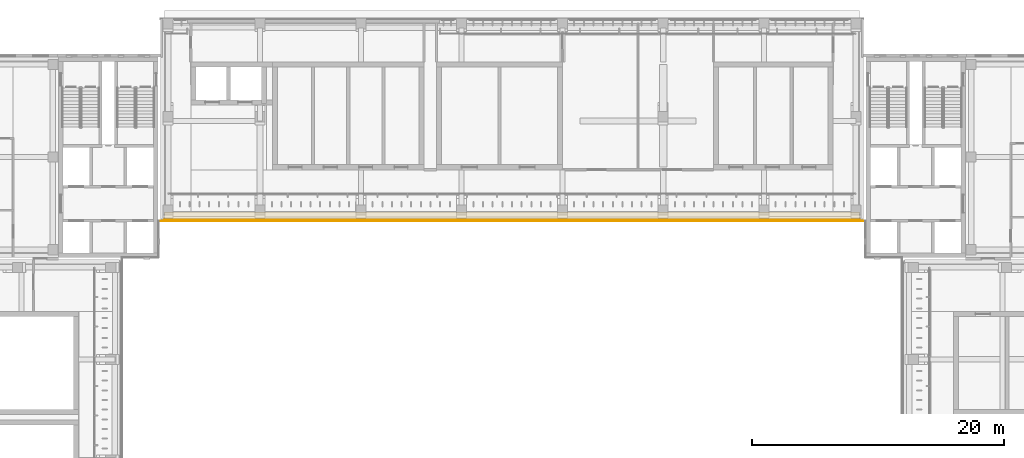
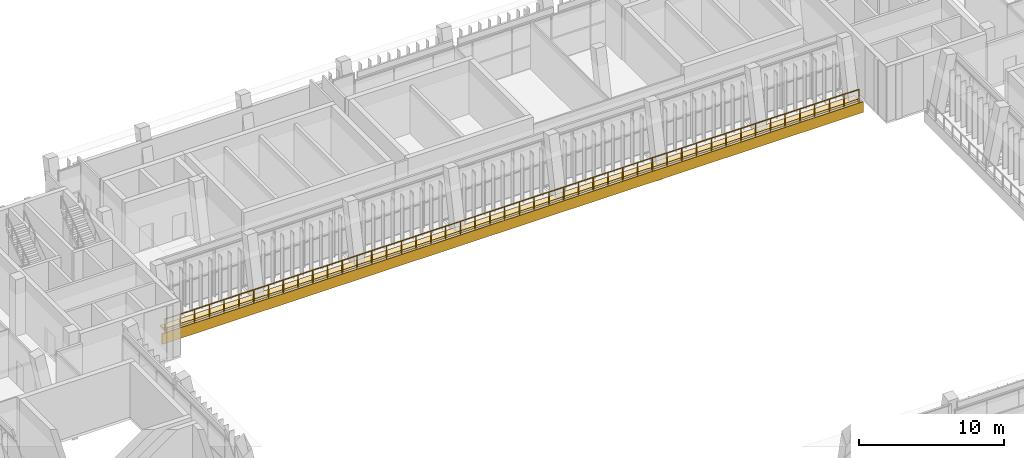
# One storey, part 79 of 89: 2 coverings, 1 railing.
"""IFC4 building model written with IfcOpenShell, lengths in metres."""

from ifc_helpers import new_model, si_unit, direction, frame, frame_2d, origin, origin_2d, place, context, subcontext, project, spatial, polyline, rectangle, circle, outline, extrude, material, layer, layer_set, type_object, element, save


model = new_model("IFC4")

# Units and contexts
model_context = context("Model", 3, precision=1e-05, world=origin(), true_north=direction((0.0, 1.0)))
body_context = subcontext(model_context, "Body", "Model", "MODEL_VIEW")
ifc_project = project(units=[si_unit("LENGTHUNIT", "METRE"), si_unit("AREAUNIT", "SQUARE_METRE"), si_unit("VOLUMEUNIT", "CUBIC_METRE"), si_unit("PLANEANGLEUNIT", "RADIAN"), si_unit("MASSUNIT", "GRAM", prefix="KILO")], contexts=[model_context])

# Site, building, storey
site_placement = place(None, origin())
site = spatial("IfcSite", under=ifc_project, at=site_placement, CompositionType="ELEMENT")
building_placement = place(site_placement, origin())
building = spatial("IfcBuilding", under=site, at=building_placement, Name="Lantern Court Media Centre", CompositionType="ELEMENT")
storey_placement = place(building_placement, frame((0.0, 0.0, 14.39990234375)))
storey = spatial("IfcBuildingStorey", under=building, at=storey_placement, Name="L03", CompositionType="ELEMENT", Elevation=14.39990234375)

# Covering
ifc_material_1 = material(Name="White glass-fibre reinforced cement cladding", Category="concrete")
ifc_layer_1 = layer(ifc_material_1, 0.050048828125)
ifc_layer_set_1 = layer_set([ifc_layer_1], Name="White glass-fibre reinforced cement cladding")
covering_type_1 = type_object("IfcCoveringType", Name="Floor-edge band 50", PredefinedType="CLADDING", material=ifc_layer_set_1)
covering_1_placement = place(storey_placement, frame((24.10009765625, 98.97509765625, -0.89990234375), z_axis=(0.0, 0.0, 1.0), x_axis=(1.0, 0.0, 0.0)))
element("IfcCovering", 1, at=covering_1_placement, inside=storey, type_object=covering_type_1, Name="Floor-edge band N inner L03", PredefinedType="CLADDING", context=body_context, shape_type="SweptSolid", body=[
    extrude(rectangle(XDim=55.7998046875, YDim=0.050048828125, at=frame_2d((27.89990234375, 0.0))), origin(), (0.0, 0.0, 1.0), 0.89990234375),
])

# Railing
ifc_material_2 = material(Name="Painted mild steel balustrade", Category="steel")
railing_type = type_object("IfcRailingType", Name="Guard 1100 steel balustrade", PredefinedType="GUARDRAIL", material=ifc_material_2)
railing_placement = place(storey_placement, frame((24.39990234375, 99.050048828125, 0.0)))
element("IfcRailing", 2, at=railing_placement, inside=storey, type_object=railing_type, Name="Ledge guard N L03", PredefinedType="GUARDRAIL", context=body_context, shape_type="SweptSolid", body=[
    extrude(circle(Radius=0.02392578125, at=origin_2d()), frame((0.0, 0.0, 1.076171875), z_axis=(1.0, 0.0, 0.0), x_axis=(0.0, 1.0, 0.0)), (0.0, 0.0, 1.0), 55.2001953125),
    extrude(circle(Radius=0.02099609375, at=origin_2d()), origin(), (0.0, 0.0, 1.0), 1.052001953125),
    extrude(circle(Radius=0.02099609375, at=origin_2d()), frame((1.174560546875, 0.0, 0.0)), (0.0, 0.0, 1.0), 1.052001953125),
    extrude(circle(Radius=0.02099609375, at=origin_2d()), frame((2.348876953125, 0.0, 0.0)), (0.0, 0.0, 1.0), 1.052001953125),
    extrude(circle(Radius=0.02099609375, at=origin_2d()), frame((3.5234375, 0.0, 0.0)), (0.0, 0.0, 1.0), 1.052001953125),
    extrude(circle(Radius=0.02099609375, at=origin_2d()), frame((4.697998046875, 0.0, 0.0)), (0.0, 0.0, 1.0), 1.052001953125),
    extrude(circle(Radius=0.02099609375, at=origin_2d()), frame((5.872314453125, 0.0, 0.0)), (0.0, 0.0, 1.0), 1.052001953125),
    extrude(circle(Radius=0.02099609375, at=origin_2d()), frame((7.046875, 0.0, 0.0)), (0.0, 0.0, 1.0), 1.052001953125),
    extrude(circle(Radius=0.02099609375, at=origin_2d()), frame((8.22119140625, 0.0, 0.0)), (0.0, 0.0, 1.0), 1.052001953125),
    extrude(circle(Radius=0.02099609375, at=origin_2d()), frame((9.395751953125, 0.0, 0.0)), (0.0, 0.0, 1.0), 1.052001953125),
    extrude(circle(Radius=0.02099609375, at=origin_2d()), frame((10.5703125, 0.0, 0.0)), (0.0, 0.0, 1.0), 1.052001953125),
    extrude(circle(Radius=0.02099609375, at=origin_2d()), frame((11.74462890625, 0.0, 0.0)), (0.0, 0.0, 1.0), 1.052001953125),
    extrude(circle(Radius=0.02099609375, at=origin_2d()), frame((12.919189453125, 0.0, 0.0)), (0.0, 0.0, 1.0), 1.052001953125),
    extrude(circle(Radius=0.02099609375, at=origin_2d()), frame((14.09375, 0.0, 0.0)), (0.0, 0.0, 1.0), 1.052001953125),
    extrude(circle(Radius=0.02099609375, at=origin_2d()), frame((15.26806640625, 0.0, 0.0)), (0.0, 0.0, 1.0), 1.052001953125),
    extrude(circle(Radius=0.02099609375, at=origin_2d()), frame((16.442626953125, 0.0, 0.0)), (0.0, 0.0, 1.0), 1.052001953125),
    extrude(circle(Radius=0.02099609375, at=origin_2d()), frame((17.6171875, 0.0, 0.0)), (0.0, 0.0, 1.0), 1.052001953125),
    extrude(circle(Radius=0.02099609375, at=origin_2d()), frame((18.79150390625, 0.0, 0.0)), (0.0, 0.0, 1.0), 1.052001953125),
    extrude(circle(Radius=0.02099609375, at=origin_2d()), frame((19.966064453125, 0.0, 0.0)), (0.0, 0.0, 1.0), 1.052001953125),
    extrude(circle(Radius=0.02099609375, at=origin_2d()), frame((21.140380859375, 0.0, 0.0)), (0.0, 0.0, 1.0), 1.052001953125),
    extrude(circle(Radius=0.02099609375, at=origin_2d()), frame((22.31494140625, 0.0, 0.0)), (0.0, 0.0, 1.0), 1.052001953125),
    extrude(circle(Radius=0.02099609375, at=origin_2d()), frame((23.489501953125, 0.0, 0.0)), (0.0, 0.0, 1.0), 1.052001953125),
    extrude(circle(Radius=0.02099609375, at=origin_2d()), frame((24.663818359375, 0.0, 0.0)), (0.0, 0.0, 1.0), 1.052001953125),
    extrude(circle(Radius=0.02099609375, at=origin_2d()), frame((25.83837890625, 0.0, 0.0)), (0.0, 0.0, 1.0), 1.052001953125),
    extrude(circle(Radius=0.02099609375, at=origin_2d()), frame((27.012939453125, 0.0, 0.0)), (0.0, 0.0, 1.0), 1.052001953125),
    extrude(circle(Radius=0.02099609375, at=origin_2d()), frame((28.187255859375, 0.0, 0.0)), (0.0, 0.0, 1.0), 1.052001953125),
    extrude(circle(Radius=0.02099609375, at=origin_2d()), frame((29.36181640625, 0.0, 0.0)), (0.0, 0.0, 1.0), 1.052001953125),
    extrude(circle(Radius=0.02099609375, at=origin_2d()), frame((30.536376953125, 0.0, 0.0)), (0.0, 0.0, 1.0), 1.052001953125),
    extrude(circle(Radius=0.02099609375, at=origin_2d()), frame((31.710693359375, 0.0, 0.0)), (0.0, 0.0, 1.0), 1.052001953125),
    extrude(circle(Radius=0.02099609375, at=origin_2d()), frame((32.88525390625, 0.0, 0.0)), (0.0, 0.0, 1.0), 1.052001953125),
    extrude(circle(Radius=0.02099609375, at=origin_2d()), frame((34.059814453125, 0.0, 0.0)), (0.0, 0.0, 1.0), 1.052001953125),
    extrude(circle(Radius=0.02099609375, at=origin_2d()), frame((35.234130859375, 0.0, 0.0)), (0.0, 0.0, 1.0), 1.052001953125),
    extrude(circle(Radius=0.02099609375, at=origin_2d()), frame((36.40869140625, 0.0, 0.0)), (0.0, 0.0, 1.0), 1.052001953125),
    extrude(circle(Radius=0.02099609375, at=origin_2d()), frame((37.5830078125, 0.0, 0.0)), (0.0, 0.0, 1.0), 1.052001953125),
    extrude(circle(Radius=0.02099609375, at=origin_2d()), frame((38.757568359375, 0.0, 0.0)), (0.0, 0.0, 1.0), 1.052001953125),
    extrude(circle(Radius=0.02099609375, at=origin_2d()), frame((39.93212890625, 0.0, 0.0)), (0.0, 0.0, 1.0), 1.052001953125),
    extrude(circle(Radius=0.02099609375, at=origin_2d()), frame((41.1064453125, 0.0, 0.0)), (0.0, 0.0, 1.0), 1.052001953125),
    extrude(circle(Radius=0.02099609375, at=origin_2d()), frame((42.281005859375, 0.0, 0.0)), (0.0, 0.0, 1.0), 1.052001953125),
    extrude(circle(Radius=0.02099609375, at=origin_2d()), frame((43.45556640625, 0.0, 0.0)), (0.0, 0.0, 1.0), 1.052001953125),
    extrude(circle(Radius=0.02099609375, at=origin_2d()), frame((44.6298828125, 0.0, 0.0)), (0.0, 0.0, 1.0), 1.052001953125),
    extrude(circle(Radius=0.02099609375, at=origin_2d()), frame((45.804443359375, 0.0, 0.0)), (0.0, 0.0, 1.0), 1.052001953125),
    extrude(circle(Radius=0.02099609375, at=origin_2d()), frame((46.97900390625, 0.0, 0.0)), (0.0, 0.0, 1.0), 1.052001953125),
    extrude(circle(Radius=0.02099609375, at=origin_2d()), frame((48.1533203125, 0.0, 0.0)), (0.0, 0.0, 1.0), 1.052001953125),
    extrude(circle(Radius=0.02099609375, at=origin_2d()), frame((49.327880859375, 0.0, 0.0)), (0.0, 0.0, 1.0), 1.052001953125),
    extrude(circle(Radius=0.02099609375, at=origin_2d()), frame((50.502197265625, 0.0, 0.0)), (0.0, 0.0, 1.0), 1.052001953125),
    extrude(circle(Radius=0.02099609375, at=origin_2d()), frame((51.6767578125, 0.0, 0.0)), (0.0, 0.0, 1.0), 1.052001953125),
    extrude(circle(Radius=0.02099609375, at=origin_2d()), frame((52.851318359375, 0.0, 0.0)), (0.0, 0.0, 1.0), 1.052001953125),
    extrude(circle(Radius=0.02099609375, at=origin_2d()), frame((54.025634765625, 0.0, 0.0)), (0.0, 0.0, 1.0), 1.052001953125),
    extrude(circle(Radius=0.02099609375, at=origin_2d()), frame((55.2001953125, 0.0, 0.0)), (0.0, 0.0, 1.0), 1.052001953125),
])

# Covering
ifc_material_3 = material(Name="Planting substrate")
ifc_layer_2 = layer(ifc_material_3, 0.199951171875)
ifc_layer_set_2 = layer_set([ifc_layer_2], Name="Planting substrate")
covering_type_2 = type_object("IfcCoveringType", Name="Planted ledge build-up 200", PredefinedType="ROOFING", material=ifc_layer_set_2)
covering_2_placement = place(storey_placement, origin())
element("IfcCovering", 3, at=covering_2_placement, inside=storey, type_object=covering_type_2, Name="Planted ledge N L03", PredefinedType="ROOFING", context=body_context, shape_type="SweptSolid", body=[
    extrude(outline(polyline([(24.39990234375, 99.14990234375), (79.60009765625, 99.14990234375), (79.60009765625, 99.679931640625), (24.39990234375, 99.679931640625), (24.39990234375, 99.14990234375)])), origin(), (0.0, 0.0, 1.0), 0.2001953125),
])

save(model, "model.ifc")
